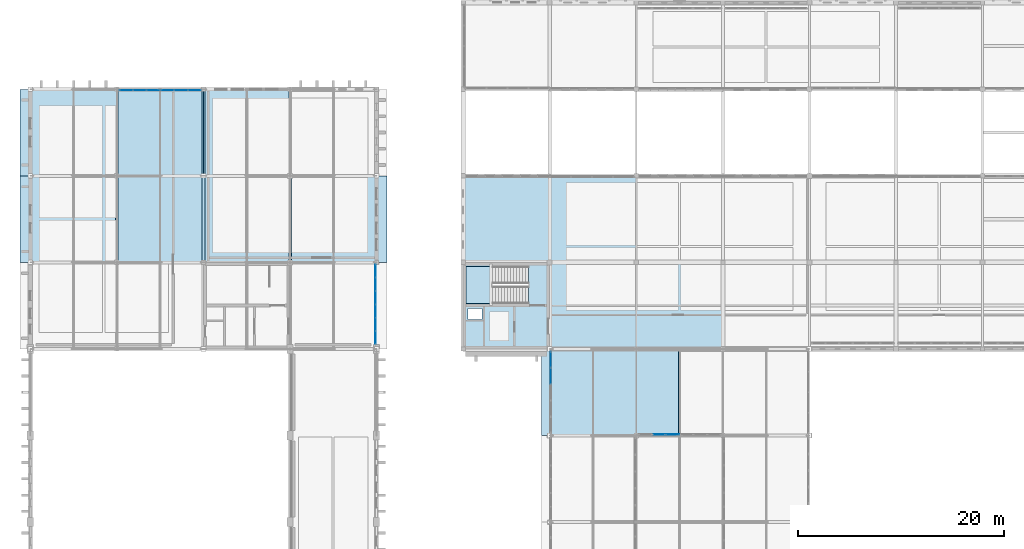
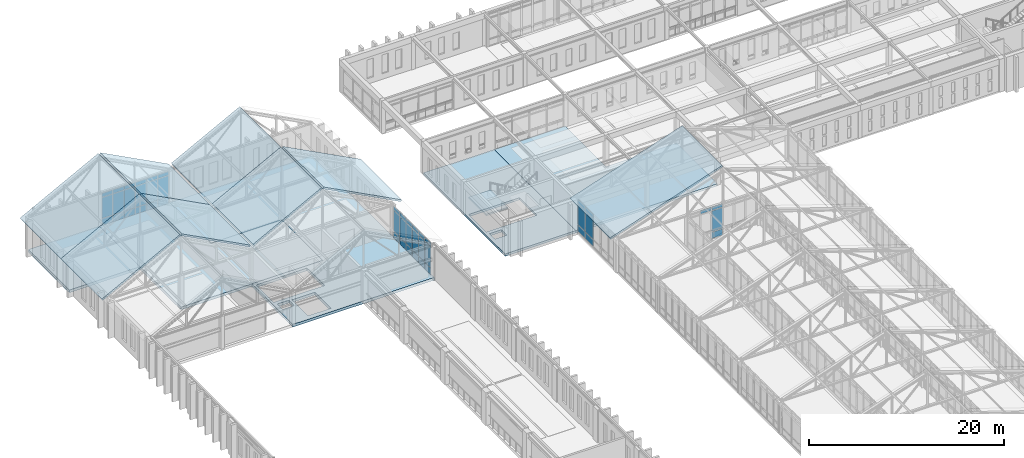
# One storey, part 122 of 192: 46 plates, 14 slabs, 5 elements without a shape of their own.
"""IFC4 building model written with IfcOpenShell, lengths in metres."""

from ifc_helpers import new_model, si_unit, direction, frame, origin, origin_2d, place, context, subcontext, project, spatial, polyline, rectangle, outline, extrude, material, layer, layer_set, type_object, element, aggregate, save


model = new_model("IFC4")

# Units and contexts
model_context = context("Model", 3, precision=1e-05, world=origin(), true_north=direction((0.0, 1.0)))
body_context = subcontext(model_context, "Body", "Model", "MODEL_VIEW")
ifc_project = project(units=[si_unit("LENGTHUNIT", "METRE"), si_unit("AREAUNIT", "SQUARE_METRE"), si_unit("VOLUMEUNIT", "CUBIC_METRE"), si_unit("PLANEANGLEUNIT", "RADIAN"), si_unit("MASSUNIT", "GRAM", prefix="KILO")], contexts=[model_context])

# Site, building, storey
site_placement = place(None, origin())
site = spatial("IfcSite", under=ifc_project, at=site_placement, CompositionType="ELEMENT")
building_placement = place(site_placement, origin())
building = spatial("IfcBuilding", under=site, at=building_placement, Name="Kveldsbrygga Polytechnic", CompositionType="ELEMENT")
storey_placement = place(building_placement, frame((0.0, 0.0, 5.43994140625)))
storey = spatial("IfcBuildingStorey", under=building, at=storey_placement, Name="L01", CompositionType="ELEMENT", Elevation=5.43994140625)

# Curtain wall, plates
ifc_material_1 = material(Name="Anodised aluminium AW-6060", Category="aluminium")
ifc_layer_1 = layer(ifc_material_1, 0.179931640625)
ifc_layer_set_1 = layer_set([ifc_layer_1], Name="Anodised aluminium AW-6060")
curtain_wall_type_1 = type_object("IfcCurtainWallType", Name="CW-CONC-A", PredefinedType="USERDEFINED", material=ifc_layer_set_1)
curtain_wall_1_placement = place(storey_placement, origin())
curtain_wall_1 = element("IfcCurtainWall", 1, at=curtain_wall_1_placement, inside=storey, type_object=curtain_wall_type_1, Name="Curtain Wall CW-L01-X-01-13", ObjectType="UNITISED CURTAIN WALL", PredefinedType="USERDEFINED")
ifc_material_2 = material(Name="Insulated triple low-E glass", Category="glass")
ifc_layer_2 = layer(ifc_material_2, 0.035888671875)
ifc_layer_set_2 = layer_set([ifc_layer_2], Name="Insulated triple low-E glass")
plate_type_1 = type_object("IfcPlateType", Name="CW-PAN-VIS36", PredefinedType="CURTAIN_PANEL", material=ifc_layer_set_2)
plate_1_placement = place(storey_placement, frame((9.2919921875, 109.10009765625, 0.06005859375), z_axis=(0.0, 0.0, 1.0), x_axis=(1.0, 0.0, 0.0)))
plate_1 = element("IfcPlate", 2, at=plate_1_placement, type_object=plate_type_1, Name="CW-01 panel 1.1", PredefinedType="CURTAIN_PANEL", context=body_context, shape_type="SweptSolid", body=[
    extrude(rectangle(XDim=1.244140625, YDim=0.035888671875, at=origin_2d()), origin(), (0.0, 0.0, 1.0), 0.81005859375),
])
plate_2_placement = place(storey_placement, frame((9.2919921875, 109.10009765625, 0.93017578125), z_axis=(0.0, 0.0, 1.0), x_axis=(1.0, 0.0, 0.0)))
plate_2 = element("IfcPlate", 3, at=plate_2_placement, type_object=plate_type_1, Name="CW-01 panel 1.2", PredefinedType="CURTAIN_PANEL", context=body_context, shape_type="SweptSolid", body=[
    extrude(rectangle(XDim=1.244140625, YDim=0.035888671875, at=origin_2d()), origin(), (0.0, 0.0, 1.0), 2.610107421875),
])
plate_3_placement = place(storey_placement, frame((9.2919921875, 109.10009765625, 3.60009765625), z_axis=(0.0, 0.0, 1.0), x_axis=(1.0, 0.0, 0.0)))
plate_3 = element("IfcPlate", 4, at=plate_3_placement, type_object=plate_type_1, Name="CW-01 panel 1.3", PredefinedType="CURTAIN_PANEL", context=body_context, shape_type="SweptSolid", body=[
    extrude(rectangle(XDim=1.244140625, YDim=0.035888671875, at=origin_2d()), origin(), (0.0, 0.0, 1.0), 0.4599609375),
])
plate_4_placement = place(storey_placement, frame((10.611328125, 109.10009765625, 0.06005859375), z_axis=(0.0, 0.0, 1.0), x_axis=(1.0, 0.0, 0.0)))
plate_4 = element("IfcPlate", 5, at=plate_4_placement, type_object=plate_type_1, Name="CW-01 panel 2.1", PredefinedType="CURTAIN_PANEL", context=body_context, shape_type="SweptSolid", body=[
    extrude(rectangle(XDim=1.274169921875, YDim=0.035888671875, at=origin_2d()), origin(), (0.0, 0.0, 1.0), 0.81005859375),
])
plate_5_placement = place(storey_placement, frame((10.611328125, 109.10009765625, 0.93017578125), z_axis=(0.0, 0.0, 1.0), x_axis=(1.0, 0.0, 0.0)))
plate_5 = element("IfcPlate", 6, at=plate_5_placement, type_object=plate_type_1, Name="CW-01 panel 2.2", PredefinedType="CURTAIN_PANEL", context=body_context, shape_type="SweptSolid", body=[
    extrude(rectangle(XDim=1.274169921875, YDim=0.035888671875, at=origin_2d()), origin(), (0.0, 0.0, 1.0), 2.610107421875),
])
plate_6_placement = place(storey_placement, frame((10.611328125, 109.10009765625, 3.60009765625), z_axis=(0.0, 0.0, 1.0), x_axis=(1.0, 0.0, 0.0)))
plate_6 = element("IfcPlate", 7, at=plate_6_placement, type_object=plate_type_1, Name="CW-01 panel 2.3", PredefinedType="CURTAIN_PANEL", context=body_context, shape_type="SweptSolid", body=[
    extrude(rectangle(XDim=1.274169921875, YDim=0.035888671875, at=origin_2d()), origin(), (0.0, 0.0, 1.0), 0.4599609375),
])
plate_7_placement = place(storey_placement, frame((11.9453125, 109.10009765625, 0.06005859375), z_axis=(0.0, 0.0, 1.0), x_axis=(1.0, 0.0, 0.0)))
plate_7 = element("IfcPlate", 8, at=plate_7_placement, type_object=plate_type_1, Name="CW-01 panel 3.1", PredefinedType="CURTAIN_PANEL", context=body_context, shape_type="SweptSolid", body=[
    extrude(rectangle(XDim=1.274169921875, YDim=0.035888671875, at=origin_2d()), origin(), (0.0, 0.0, 1.0), 0.81005859375),
])
plate_8_placement = place(storey_placement, frame((11.9453125, 109.10009765625, 0.93017578125), z_axis=(0.0, 0.0, 1.0), x_axis=(1.0, 0.0, 0.0)))
plate_8 = element("IfcPlate", 9, at=plate_8_placement, type_object=plate_type_1, Name="CW-01 panel 3.2", PredefinedType="CURTAIN_PANEL", context=body_context, shape_type="SweptSolid", body=[
    extrude(rectangle(XDim=1.274169921875, YDim=0.035888671875, at=origin_2d()), origin(), (0.0, 0.0, 1.0), 2.610107421875),
])
plate_9_placement = place(storey_placement, frame((11.9453125, 109.10009765625, 3.60009765625), z_axis=(0.0, 0.0, 1.0), x_axis=(1.0, 0.0, 0.0)))
plate_9 = element("IfcPlate", 10, at=plate_9_placement, type_object=plate_type_1, Name="CW-01 panel 3.3", PredefinedType="CURTAIN_PANEL", context=body_context, shape_type="SweptSolid", body=[
    extrude(rectangle(XDim=1.274169921875, YDim=0.035888671875, at=origin_2d()), origin(), (0.0, 0.0, 1.0), 0.4599609375),
])
plate_10_placement = place(storey_placement, frame((13.279541015625, 109.10009765625, 0.06005859375), z_axis=(0.0, 0.0, 1.0), x_axis=(1.0, 0.0, 0.0)))
plate_10 = element("IfcPlate", 11, at=plate_10_placement, type_object=plate_type_1, Name="CW-01 panel 4.1", PredefinedType="CURTAIN_PANEL", context=body_context, shape_type="SweptSolid", body=[
    extrude(rectangle(XDim=1.274169921875, YDim=0.035888671875, at=origin_2d()), origin(), (0.0, 0.0, 1.0), 0.81005859375),
])
plate_11_placement = place(storey_placement, frame((13.279541015625, 109.10009765625, 0.93017578125), z_axis=(0.0, 0.0, 1.0), x_axis=(1.0, 0.0, 0.0)))
plate_11 = element("IfcPlate", 12, at=plate_11_placement, type_object=plate_type_1, Name="CW-01 panel 4.2", PredefinedType="CURTAIN_PANEL", context=body_context, shape_type="SweptSolid", body=[
    extrude(rectangle(XDim=1.274169921875, YDim=0.035888671875, at=origin_2d()), origin(), (0.0, 0.0, 1.0), 2.610107421875),
])
plate_12_placement = place(storey_placement, frame((13.279541015625, 109.10009765625, 3.60009765625), z_axis=(0.0, 0.0, 1.0), x_axis=(1.0, 0.0, 0.0)))
plate_12 = element("IfcPlate", 13, at=plate_12_placement, type_object=plate_type_1, Name="CW-01 panel 4.3", PredefinedType="CURTAIN_PANEL", context=body_context, shape_type="SweptSolid", body=[
    extrude(rectangle(XDim=1.274169921875, YDim=0.035888671875, at=origin_2d()), origin(), (0.0, 0.0, 1.0), 0.4599609375),
])
plate_13_placement = place(storey_placement, frame((14.61376953125, 109.10009765625, 0.06005859375), z_axis=(0.0, 0.0, 1.0), x_axis=(1.0, 0.0, 0.0)))
plate_13 = element("IfcPlate", 14, at=plate_13_placement, type_object=plate_type_1, Name="CW-01 panel 5.1", PredefinedType="CURTAIN_PANEL", context=body_context, shape_type="SweptSolid", body=[
    extrude(rectangle(XDim=1.274169921875, YDim=0.035888671875, at=origin_2d()), origin(), (0.0, 0.0, 1.0), 0.81005859375),
])
plate_14_placement = place(storey_placement, frame((14.61376953125, 109.10009765625, 0.93017578125), z_axis=(0.0, 0.0, 1.0), x_axis=(1.0, 0.0, 0.0)))
plate_14 = element("IfcPlate", 15, at=plate_14_placement, type_object=plate_type_1, Name="CW-01 panel 5.2", PredefinedType="CURTAIN_PANEL", context=body_context, shape_type="SweptSolid", body=[
    extrude(rectangle(XDim=1.274169921875, YDim=0.035888671875, at=origin_2d()), origin(), (0.0, 0.0, 1.0), 2.610107421875),
])
plate_15_placement = place(storey_placement, frame((14.61376953125, 109.10009765625, 3.60009765625), z_axis=(0.0, 0.0, 1.0), x_axis=(1.0, 0.0, 0.0)))
plate_15 = element("IfcPlate", 16, at=plate_15_placement, type_object=plate_type_1, Name="CW-01 panel 5.3", PredefinedType="CURTAIN_PANEL", context=body_context, shape_type="SweptSolid", body=[
    extrude(rectangle(XDim=1.274169921875, YDim=0.035888671875, at=origin_2d()), origin(), (0.0, 0.0, 1.0), 0.4599609375),
])
plate_16_placement = place(storey_placement, frame((15.932861328125, 109.10009765625, 0.06005859375), z_axis=(0.0, 0.0, 1.0), x_axis=(1.0, 0.0, 0.0)))
plate_16 = element("IfcPlate", 17, at=plate_16_placement, type_object=plate_type_1, Name="CW-01 panel 6.1", PredefinedType="CURTAIN_PANEL", context=body_context, shape_type="SweptSolid", body=[
    extrude(rectangle(XDim=1.244140625, YDim=0.035888671875, at=origin_2d()), origin(), (0.0, 0.0, 1.0), 0.81005859375),
])
plate_17_placement = place(storey_placement, frame((15.932861328125, 109.10009765625, 0.93017578125), z_axis=(0.0, 0.0, 1.0), x_axis=(1.0, 0.0, 0.0)))
plate_17 = element("IfcPlate", 18, at=plate_17_placement, type_object=plate_type_1, Name="CW-01 panel 6.2", PredefinedType="CURTAIN_PANEL", context=body_context, shape_type="SweptSolid", body=[
    extrude(rectangle(XDim=1.244140625, YDim=0.035888671875, at=origin_2d()), origin(), (0.0, 0.0, 1.0), 2.610107421875),
])
plate_18_placement = place(storey_placement, frame((15.932861328125, 109.10009765625, 3.60009765625), z_axis=(0.0, 0.0, 1.0), x_axis=(1.0, 0.0, 0.0)))
plate_18 = element("IfcPlate", 19, at=plate_18_placement, type_object=plate_type_1, Name="CW-01 panel 6.3", PredefinedType="CURTAIN_PANEL", context=body_context, shape_type="SweptSolid", body=[
    extrude(rectangle(XDim=1.244140625, YDim=0.035888671875, at=origin_2d()), origin(), (0.0, 0.0, 1.0), 0.4599609375),
])
aggregate(curtain_wall_1, [plate_1, plate_2, plate_3, plate_4, plate_5, plate_6, plate_7, plate_8, plate_9, plate_10, plate_11, plate_12, plate_13, plate_14, plate_15, plate_16, plate_17, plate_18])

curtain_wall_2_placement = place(storey_placement, origin())
curtain_wall_2 = element("IfcCurtainWall", 20, at=curtain_wall_2_placement, inside=storey, type_object=curtain_wall_type_1, Name="Curtain Wall CW-L01-Y-04-10", ObjectType="UNITISED CURTAIN WALL", PredefinedType="USERDEFINED")
plate_19_placement = place(storey_placement, frame((33.5, 85.098388671875, 0.06005859375), z_axis=(0.0, 0.0, 1.0), x_axis=(0.0, 1.0, 0.0)))
plate_19 = element("IfcPlate", 21, at=plate_19_placement, type_object=plate_type_1, Name="CW-01 panel 1.1", PredefinedType="CURTAIN_PANEL", context=body_context, shape_type="SweptSolid", body=[
    extrude(rectangle(XDim=1.206787109375, YDim=0.035888671875, at=origin_2d()), origin(), (0.0, 0.0, 1.0), 0.81005859375),
])
plate_20_placement = place(storey_placement, frame((33.5, 85.098388671875, 0.93017578125), z_axis=(0.0, 0.0, 1.0), x_axis=(0.0, 1.0, 0.0)))
plate_20 = element("IfcPlate", 22, at=plate_20_placement, type_object=plate_type_1, Name="CW-01 panel 1.2", PredefinedType="CURTAIN_PANEL", context=body_context, shape_type="SweptSolid", body=[
    extrude(rectangle(XDim=1.206787109375, YDim=0.035888671875, at=origin_2d()), origin(), (0.0, 0.0, 1.0), 2.610107421875),
])
plate_21_placement = place(storey_placement, frame((33.5, 85.098388671875, 3.60009765625), z_axis=(0.0, 0.0, 1.0), x_axis=(0.0, 1.0, 0.0)))
plate_21 = element("IfcPlate", 23, at=plate_21_placement, type_object=plate_type_1, Name="CW-01 panel 1.3", PredefinedType="CURTAIN_PANEL", context=body_context, shape_type="SweptSolid", body=[
    extrude(rectangle(XDim=1.206787109375, YDim=0.035888671875, at=origin_2d()), origin(), (0.0, 0.0, 1.0), 0.4599609375),
])
plate_22_placement = place(storey_placement, frame((33.5, 86.3798828125, 0.06005859375), z_axis=(0.0, 0.0, 1.0), x_axis=(0.0, 1.0, 0.0)))
plate_22 = element("IfcPlate", 24, at=plate_22_placement, type_object=plate_type_1, Name="CW-01 panel 2.1", PredefinedType="CURTAIN_PANEL", context=body_context, shape_type="SweptSolid", body=[
    extrude(rectangle(XDim=1.236572265625, YDim=0.035888671875, at=origin_2d()), origin(), (0.0, 0.0, 1.0), 0.81005859375),
])
plate_23_placement = place(storey_placement, frame((33.5, 86.3798828125, 0.93017578125), z_axis=(0.0, 0.0, 1.0), x_axis=(0.0, 1.0, 0.0)))
plate_23 = element("IfcPlate", 25, at=plate_23_placement, type_object=plate_type_1, Name="CW-01 panel 2.2", PredefinedType="CURTAIN_PANEL", context=body_context, shape_type="SweptSolid", body=[
    extrude(rectangle(XDim=1.236572265625, YDim=0.035888671875, at=origin_2d()), origin(), (0.0, 0.0, 1.0), 2.610107421875),
])
plate_24_placement = place(storey_placement, frame((33.5, 86.3798828125, 3.60009765625), z_axis=(0.0, 0.0, 1.0), x_axis=(0.0, 1.0, 0.0)))
plate_24 = element("IfcPlate", 26, at=plate_24_placement, type_object=plate_type_1, Name="CW-01 panel 2.3", PredefinedType="CURTAIN_PANEL", context=body_context, shape_type="SweptSolid", body=[
    extrude(rectangle(XDim=1.236572265625, YDim=0.035888671875, at=origin_2d()), origin(), (0.0, 0.0, 1.0), 0.4599609375),
])
plate_25_placement = place(storey_placement, frame((33.5, 87.6767578125, 0.06005859375), z_axis=(0.0, 0.0, 1.0), x_axis=(0.0, 1.0, 0.0)))
plate_25 = element("IfcPlate", 27, at=plate_25_placement, type_object=plate_type_1, Name="CW-01 panel 3.1", PredefinedType="CURTAIN_PANEL", context=body_context, shape_type="SweptSolid", body=[
    extrude(rectangle(XDim=1.236572265625, YDim=0.035888671875, at=origin_2d()), origin(), (0.0, 0.0, 1.0), 0.81005859375),
])
plate_26_placement = place(storey_placement, frame((33.5, 87.6767578125, 0.93017578125), z_axis=(0.0, 0.0, 1.0), x_axis=(0.0, 1.0, 0.0)))
plate_26 = element("IfcPlate", 28, at=plate_26_placement, type_object=plate_type_1, Name="CW-01 panel 3.2", PredefinedType="CURTAIN_PANEL", context=body_context, shape_type="SweptSolid", body=[
    extrude(rectangle(XDim=1.236572265625, YDim=0.035888671875, at=origin_2d()), origin(), (0.0, 0.0, 1.0), 2.610107421875),
])
plate_27_placement = place(storey_placement, frame((33.5, 87.6767578125, 3.60009765625), z_axis=(0.0, 0.0, 1.0), x_axis=(0.0, 1.0, 0.0)))
plate_27 = element("IfcPlate", 29, at=plate_27_placement, type_object=plate_type_1, Name="CW-01 panel 3.3", PredefinedType="CURTAIN_PANEL", context=body_context, shape_type="SweptSolid", body=[
    extrude(rectangle(XDim=1.236572265625, YDim=0.035888671875, at=origin_2d()), origin(), (0.0, 0.0, 1.0), 0.4599609375),
])
plate_28_placement = place(storey_placement, frame((33.5, 88.973388671875, 0.06005859375), z_axis=(0.0, 0.0, 1.0), x_axis=(0.0, 1.0, 0.0)))
plate_28 = element("IfcPlate", 30, at=plate_28_placement, type_object=plate_type_1, Name="CW-01 panel 4.1", PredefinedType="CURTAIN_PANEL", context=body_context, shape_type="SweptSolid", body=[
    extrude(rectangle(XDim=1.236572265625, YDim=0.035888671875, at=origin_2d()), origin(), (0.0, 0.0, 1.0), 0.81005859375),
])
plate_29_placement = place(storey_placement, frame((33.5, 88.973388671875, 0.93017578125), z_axis=(0.0, 0.0, 1.0), x_axis=(0.0, 1.0, 0.0)))
plate_29 = element("IfcPlate", 31, at=plate_29_placement, type_object=plate_type_1, Name="CW-01 panel 4.2", PredefinedType="CURTAIN_PANEL", context=body_context, shape_type="SweptSolid", body=[
    extrude(rectangle(XDim=1.236572265625, YDim=0.035888671875, at=origin_2d()), origin(), (0.0, 0.0, 1.0), 2.610107421875),
])
plate_30_placement = place(storey_placement, frame((33.5, 88.973388671875, 3.60009765625), z_axis=(0.0, 0.0, 1.0), x_axis=(0.0, 1.0, 0.0)))
plate_30 = element("IfcPlate", 32, at=plate_30_placement, type_object=plate_type_1, Name="CW-01 panel 4.3", PredefinedType="CURTAIN_PANEL", context=body_context, shape_type="SweptSolid", body=[
    extrude(rectangle(XDim=1.236572265625, YDim=0.035888671875, at=origin_2d()), origin(), (0.0, 0.0, 1.0), 0.4599609375),
])
plate_31_placement = place(storey_placement, frame((33.5, 90.27001953125, 0.06005859375), z_axis=(0.0, 0.0, 1.0), x_axis=(0.0, 1.0, 0.0)))
plate_31 = element("IfcPlate", 33, at=plate_31_placement, type_object=plate_type_1, Name="CW-01 panel 5.1", PredefinedType="CURTAIN_PANEL", context=body_context, shape_type="SweptSolid", body=[
    extrude(rectangle(XDim=1.236572265625, YDim=0.035888671875, at=origin_2d()), origin(), (0.0, 0.0, 1.0), 0.81005859375),
])
plate_32_placement = place(storey_placement, frame((33.5, 90.27001953125, 0.93017578125), z_axis=(0.0, 0.0, 1.0), x_axis=(0.0, 1.0, 0.0)))
plate_32 = element("IfcPlate", 34, at=plate_32_placement, type_object=plate_type_1, Name="CW-01 panel 5.2", PredefinedType="CURTAIN_PANEL", context=body_context, shape_type="SweptSolid", body=[
    extrude(rectangle(XDim=1.236572265625, YDim=0.035888671875, at=origin_2d()), origin(), (0.0, 0.0, 1.0), 2.610107421875),
])
plate_33_placement = place(storey_placement, frame((33.5, 90.27001953125, 3.60009765625), z_axis=(0.0, 0.0, 1.0), x_axis=(0.0, 1.0, 0.0)))
plate_33 = element("IfcPlate", 35, at=plate_33_placement, type_object=plate_type_1, Name="CW-01 panel 5.3", PredefinedType="CURTAIN_PANEL", context=body_context, shape_type="SweptSolid", body=[
    extrude(rectangle(XDim=1.236572265625, YDim=0.035888671875, at=origin_2d()), origin(), (0.0, 0.0, 1.0), 0.4599609375),
])
plate_34_placement = place(storey_placement, frame((33.5, 91.5517578125, 0.06005859375), z_axis=(0.0, 0.0, 1.0), x_axis=(0.0, 1.0, 0.0)))
plate_34 = element("IfcPlate", 36, at=plate_34_placement, type_object=plate_type_1, Name="CW-01 panel 6.1", PredefinedType="CURTAIN_PANEL", context=body_context, shape_type="SweptSolid", body=[
    extrude(rectangle(XDim=1.206787109375, YDim=0.035888671875, at=origin_2d()), origin(), (0.0, 0.0, 1.0), 0.81005859375),
])
plate_35_placement = place(storey_placement, frame((33.5, 91.5517578125, 0.93017578125), z_axis=(0.0, 0.0, 1.0), x_axis=(0.0, 1.0, 0.0)))
plate_35 = element("IfcPlate", 37, at=plate_35_placement, type_object=plate_type_1, Name="CW-01 panel 6.2", PredefinedType="CURTAIN_PANEL", context=body_context, shape_type="SweptSolid", body=[
    extrude(rectangle(XDim=1.206787109375, YDim=0.035888671875, at=origin_2d()), origin(), (0.0, 0.0, 1.0), 2.610107421875),
])
plate_36_placement = place(storey_placement, frame((33.5, 91.5517578125, 3.60009765625), z_axis=(0.0, 0.0, 1.0), x_axis=(0.0, 1.0, 0.0)))
plate_36 = element("IfcPlate", 38, at=plate_36_placement, type_object=plate_type_1, Name="CW-01 panel 6.3", PredefinedType="CURTAIN_PANEL", context=body_context, shape_type="SweptSolid", body=[
    extrude(rectangle(XDim=1.206787109375, YDim=0.035888671875, at=origin_2d()), origin(), (0.0, 0.0, 1.0), 0.4599609375),
])
aggregate(curtain_wall_2, [plate_19, plate_20, plate_21, plate_22, plate_23, plate_24, plate_25, plate_26, plate_27, plate_28, plate_29, plate_30, plate_31, plate_32, plate_33, plate_34, plate_35, plate_36])

ifc_layer_3 = layer(ifc_material_1, 0.199951171875)
ifc_layer_set_3 = layer_set([ifc_layer_3], Name="Anodised aluminium AW-6060")
curtain_wall_type_2 = type_object("IfcCurtainWallType", Name="CW-CONC-B", PredefinedType="USERDEFINED", material=ifc_layer_set_3)
curtain_wall_3_placement = place(storey_placement, origin())
curtain_wall_3 = element("IfcCurtainWall", 39, at=curtain_wall_3_placement, inside=storey, type_object=curtain_wall_type_2, Name="Curtain Wall CW-L01-Y-06-09", ObjectType="UNITISED CURTAIN WALL", PredefinedType="USERDEFINED")
ifc_layer_4 = layer(ifc_material_2, 0.0419921875)
ifc_layer_set_4 = layer_set([ifc_layer_4], Name="Insulated triple low-E glass")
plate_type_2 = type_object("IfcPlateType", Name="CW-PAN-VIS42", PredefinedType="CURTAIN_PANEL", material=ifc_layer_set_4)
plate_37_placement = place(storey_placement, frame((50.5, 81.389892578125, 0.06005859375), z_axis=(0.0, 0.0, 1.0), x_axis=(0.0, 1.0, 0.0)))
plate_37 = element("IfcPlate", 40, at=plate_37_placement, type_object=plate_type_2, Name="CW-02 panel 4.1", PredefinedType="CURTAIN_PANEL", context=body_context, shape_type="SweptSolid", body=[
    extrude(rectangle(XDim=1.530029296875, YDim=0.0419921875, at=origin_2d()), origin(), (0.0, 0.0, 1.0), 0.81005859375),
])
plate_38_placement = place(storey_placement, frame((50.5, 81.389892578125, 0.93017578125), z_axis=(0.0, 0.0, 1.0), x_axis=(0.0, 1.0, 0.0)))
plate_38 = element("IfcPlate", 41, at=plate_38_placement, type_object=plate_type_2, Name="CW-02 panel 4.2", PredefinedType="CURTAIN_PANEL", context=body_context, shape_type="SweptSolid", body=[
    extrude(rectangle(XDim=1.530029296875, YDim=0.0419921875, at=origin_2d()), origin(), (0.0, 0.0, 1.0), 2.610107421875),
])
plate_39_placement = place(storey_placement, frame((50.5, 81.389892578125, 3.60009765625), z_axis=(0.0, 0.0, 1.0), x_axis=(0.0, 1.0, 0.0)))
plate_39 = element("IfcPlate", 42, at=plate_39_placement, type_object=plate_type_2, Name="CW-02 panel 4.3", PredefinedType="CURTAIN_PANEL", context=body_context, shape_type="SweptSolid", body=[
    extrude(rectangle(XDim=1.530029296875, YDim=0.0419921875, at=origin_2d()), origin(), (0.0, 0.0, 1.0), 0.4599609375),
])
plate_40_placement = place(storey_placement, frame((50.5, 82.965087890625, 0.06005859375), z_axis=(0.0, 0.0, 1.0), x_axis=(0.0, 1.0, 0.0)))
plate_40 = element("IfcPlate", 43, at=plate_40_placement, type_object=plate_type_2, Name="CW-02 panel 5.1", PredefinedType="CURTAIN_PANEL", context=body_context, shape_type="SweptSolid", body=[
    extrude(rectangle(XDim=1.5, YDim=0.0419921875, at=origin_2d()), origin(), (0.0, 0.0, 1.0), 0.81005859375),
])
plate_41_placement = place(storey_placement, frame((50.5, 82.965087890625, 0.93017578125), z_axis=(0.0, 0.0, 1.0), x_axis=(0.0, 1.0, 0.0)))
plate_41 = element("IfcPlate", 44, at=plate_41_placement, type_object=plate_type_2, Name="CW-02 panel 5.2", PredefinedType="CURTAIN_PANEL", context=body_context, shape_type="SweptSolid", body=[
    extrude(rectangle(XDim=1.5, YDim=0.0419921875, at=origin_2d()), origin(), (0.0, 0.0, 1.0), 2.610107421875),
])
plate_42_placement = place(storey_placement, frame((50.5, 82.965087890625, 3.60009765625), z_axis=(0.0, 0.0, 1.0), x_axis=(0.0, 1.0, 0.0)))
plate_42 = element("IfcPlate", 45, at=plate_42_placement, type_object=plate_type_2, Name="CW-02 panel 5.3", PredefinedType="CURTAIN_PANEL", context=body_context, shape_type="SweptSolid", body=[
    extrude(rectangle(XDim=1.5, YDim=0.0419921875, at=origin_2d()), origin(), (0.0, 0.0, 1.0), 0.4599609375),
])
aggregate(curtain_wall_3, [plate_37, plate_38, plate_39, plate_40, plate_41, plate_42])

ifc_layer_5 = layer(ifc_material_1, 0.159912109375)
ifc_layer_set_5 = layer_set([ifc_layer_5], Name="Anodised aluminium AW-6060")
curtain_wall_type_3 = type_object("IfcCurtainWallType", Name="CW-CLER-C", PredefinedType="USERDEFINED", material=ifc_layer_set_5)
curtain_wall_4_placement = place(storey_placement, origin())
curtain_wall_4 = element("IfcCurtainWall", 46, at=curtain_wall_4_placement, inside=storey, type_object=curtain_wall_type_3, Name="Curtain Wall CW-L01-X-07-09", ObjectType="STICK CURTAIN WALL", PredefinedType="USERDEFINED")
ifc_layer_6 = layer(ifc_material_2, 0.048095703125)
ifc_layer_set_6 = layer_set([ifc_layer_6], Name="Insulated triple low-E glass")
plate_type_3 = type_object("IfcPlateType", Name="CW-PAN-VIS48", PredefinedType="CURTAIN_PANEL", material=ifc_layer_set_6)
plate_43_placement = place(storey_placement, frame((61.01123046875, 75.699951171875, 3.607666015625), z_axis=(0.0, 0.0, 1.0), x_axis=(1.0, 0.0, 0.0)))
plate_43 = element("IfcPlate", 47, at=plate_43_placement, type_object=plate_type_3, Name="CW-03 panel 2.3", PredefinedType="CURTAIN_PANEL", context=body_context, shape_type="SweptSolid", body=[
    extrude(rectangle(XDim=1.25927734375, YDim=0.048095703125, at=origin_2d()), origin(), (0.0, 0.0, 1.0), 0.4375),
])
plate_44_placement = place(storey_placement, frame((62.345458984375, 75.699951171875, 0.074951171875), z_axis=(0.0, 0.0, 1.0), x_axis=(1.0, 0.0, 0.0)))
plate_44 = element("IfcPlate", 48, at=plate_44_placement, type_object=plate_type_3, Name="CW-03 panel 3.1", PredefinedType="CURTAIN_PANEL", context=body_context, shape_type="SweptSolid", body=[
    extrude(rectangle(XDim=1.25927734375, YDim=0.048095703125, at=origin_2d()), origin(), (0.0, 0.0, 1.0), 0.78759765625),
])
plate_45_placement = place(storey_placement, frame((62.345458984375, 75.699951171875, 0.9375), z_axis=(0.0, 0.0, 1.0), x_axis=(1.0, 0.0, 0.0)))
plate_45 = element("IfcPlate", 49, at=plate_45_placement, type_object=plate_type_3, Name="CW-03 panel 3.2", PredefinedType="CURTAIN_PANEL", context=body_context, shape_type="SweptSolid", body=[
    extrude(rectangle(XDim=1.25927734375, YDim=0.048095703125, at=origin_2d()), origin(), (0.0, 0.0, 1.0), 2.594970703125),
])
plate_46_placement = place(storey_placement, frame((62.345458984375, 75.699951171875, 3.607666015625), z_axis=(0.0, 0.0, 1.0), x_axis=(1.0, 0.0, 0.0)))
plate_46 = element("IfcPlate", 50, at=plate_46_placement, type_object=plate_type_3, Name="CW-03 panel 3.3", PredefinedType="CURTAIN_PANEL", context=body_context, shape_type="SweptSolid", body=[
    extrude(rectangle(XDim=1.25927734375, YDim=0.048095703125, at=origin_2d()), origin(), (0.0, 0.0, 1.0), 0.4375),
])
aggregate(curtain_wall_4, [plate_43, plate_44, plate_45, plate_46])

# Stair, slab
ifc_material_3 = material(Name="Concrete C35/45", Category="concrete")
stair_type = type_object("IfcStairType", Name="STR-CORE-442", PredefinedType="HALF_TURN_STAIR", material=ifc_material_3)
stair_placement = place(storey_placement, origin())
stair = element("IfcStair", 51, at=stair_placement, inside=storey, type_object=stair_type, Name="L01 Core C7 Escape Stair ST-7", PredefinedType="HALF_TURN_STAIR")
ifc_layer_7 = layer(ifc_material_3, 0.199951171875)
ifc_layer_set_7 = layer_set([ifc_layer_7], Name="Concrete C35/45")
slab_type_1 = type_object("IfcSlabType", Name="SLB-LANDING-200", PredefinedType="LANDING", material=ifc_layer_set_7)
slab_1_placement = place(storey_placement, frame((0.0, 0.0, 2.010009765625)))
slab_1 = element("IfcSlab", 52, at=slab_1_placement, type_object=slab_type_1, Name="ST-7 landing 1", PredefinedType="LANDING", context=body_context, shape_type="SweptSolid", body=[
    extrude(outline(polyline([(44.8701171875, 92.0), (42.300048828125, 92.0), (42.300048828125, 88.39990234375), (44.8701171875, 88.39990234375), (44.8701171875, 92.0)])), origin(), (0.0, 0.0, 1.0), 0.199951171875),
])
aggregate(stair, [slab_1])

# Slabs
ifc_layer_8 = layer(ifc_material_3, 0.219970703125)
ifc_layer_set_8 = layer_set([ifc_layer_8], Name="Concrete C35/45")
slab_type_2 = type_object("IfcSlabType", Name="SLB-ROOF-220", PredefinedType="ROOF", material=ifc_layer_set_8)
slab_2_placement = place(storey_placement, frame((-1.0, 92.39990234375, 4.296142578125), z_axis=(-0.464010478736, 0.0, 0.885829710285), x_axis=(0.885829710285, 0.0, 0.464010478736)))
element("IfcSlab", 53, at=slab_2_placement, inside=storey, type_object=slab_type_2, Name="Pitched Roof Slab V1N1-RSLB-2-1", PredefinedType="ROOF", context=body_context, shape_type="SweptSolid", body=[
    extrude(outline(polyline([(0.0, 0.0), (10.473606748037206, 0.0), (10.473606748037206, 8.400146484375), (0.0, 8.400146484375), (0.0, 0.0)])), origin(), (0.0, 0.0, -1.0), 0.219970703125),
])
slab_3_placement = place(storey_placement, frame((8.522216796875, 92.39990234375, 9.156005859375), z_axis=(0.464024891368, 0.0, 0.885822160589), x_axis=(0.885822160589, 0.0, -0.464024891368)))
element("IfcSlab", 54, at=slab_3_placement, inside=storey, type_object=slab_type_2, Name="Pitched Roof Slab V1N1-RSLB-2-2", PredefinedType="ROOF", context=body_context, shape_type="SweptSolid", body=[
    extrude(outline(polyline([(0.0, 0.0), (9.175301667173233, 0.0), (9.175301667173233, 8.400146484375002), (0.0, 8.400146484375002), (0.0, 0.0)])), origin(), (0.0, 0.0, -1.0), 0.219970703125),
])
slab_4_placement = place(storey_placement, frame((-1.0, 100.800048828125, 4.296142578125), z_axis=(-0.464010478736, 0.0, 0.885829710285), x_axis=(0.885829710285, 0.0, 0.464010478736)))
element("IfcSlab", 55, at=slab_4_placement, inside=storey, type_object=slab_type_2, Name="Pitched Roof Slab V1N1-RSLB-3-1", PredefinedType="ROOF", context=body_context, shape_type="SweptSolid", body=[
    extrude(outline(polyline([(0.0, 0.0), (10.473606748037206, 0.0), (10.473606748037206, 8.39990234375), (0.0, 8.39990234375), (0.0, 0.0)])), origin(), (0.0, 0.0, -1.0), 0.219970703125),
])
slab_5_placement = place(storey_placement, frame((8.522216796875, 100.800048828125, 9.156005859375), z_axis=(0.464024891368, 0.0, 0.885822160589), x_axis=(0.885822160589, 0.0, -0.464024891368)))
element("IfcSlab", 56, at=slab_5_placement, inside=storey, type_object=slab_type_2, Name="Pitched Roof Slab V1N1-RSLB-3-2", PredefinedType="ROOF", context=body_context, shape_type="SweptSolid", body=[
    extrude(outline(polyline([(0.0, 0.0), (9.175301667173233, 0.0), (9.175301667173233, 8.399902343750002), (0.0, 8.399902343750002), (0.0, 0.0)])), origin(), (0.0, 0.0, -1.0), 0.219970703125),
])
slab_6_placement = place(storey_placement, frame((16.949951171875, 92.39990234375, 4.8984375), z_axis=(-0.464013954356, 0.0, 0.885827889696), x_axis=(0.885827889696, 0.0, 0.464013954356)))
element("IfcSlab", 57, at=slab_6_placement, inside=storey, type_object=slab_type_2, Name="Pitched Roof Slab V1N2-RSLB-2-1", PredefinedType="ROOF", context=body_context, shape_type="SweptSolid", body=[
    extrude(outline(polyline([(0.0, 0.0), (9.17551793304852, 0.0), (9.17551793304852, 8.400146484375), (0.0, 8.400146484375), (0.0, 0.0)])), origin(), (0.0, 0.0, -1.0), 0.219970703125),
])
slab_7_placement = place(storey_placement, frame((25.322021484375, 92.39990234375, 9.156005859375), z_axis=(0.464000897665, 0.0, 0.885834728923), x_axis=(0.885834728923, 0.0, -0.464000897665)))
element("IfcSlab", 58, at=slab_7_placement, inside=storey, type_object=slab_type_2, Name="Pitched Roof Slab V1N2-RSLB-2-2", PredefinedType="ROOF", context=body_context, shape_type="SweptSolid", body=[
    extrude(outline(polyline([(0.0, 0.0), (10.473823015668954, 0.0), (10.473823015668954, 8.400146484375), (0.0, 8.400146484375), (0.0, 0.0)])), origin(), (0.0, 0.0, -1.0), 0.219970703125),
])
slab_8_placement = place(storey_placement, frame((16.949951171875, 100.800048828125, 4.8984375), z_axis=(-0.464013954356, 0.0, 0.885827889696), x_axis=(0.885827889696, 0.0, 0.464013954356)))
element("IfcSlab", 59, at=slab_8_placement, inside=storey, type_object=slab_type_2, Name="Pitched Roof Slab V1N2-RSLB-3-1", PredefinedType="ROOF", context=body_context, shape_type="SweptSolid", body=[
    extrude(outline(polyline([(0.0, 0.0), (9.17551793304852, 0.0), (9.17551793304852, 8.39990234375), (0.0, 8.39990234375), (0.0, 0.0)])), origin(), (0.0, 0.0, -1.0), 0.219970703125),
])
slab_9_placement = place(storey_placement, frame((49.60009765625, 75.60009765625, 4.45947265625), z_axis=(-0.316227766017, 0.0, 0.948683298051), x_axis=(0.948683298051, 0.0, 0.316227766017)))
element("IfcSlab", 60, at=slab_9_placement, inside=storey, type_object=slab_type_2, Name="Pitched Roof Slab V5C-RSLB-9-1", PredefinedType="ROOF", context=body_context, shape_type="SweptSolid", body=[
    extrude(outline(polyline([(0.0, 0.0), (14.030290995664053, 0.0), (14.030290995664053, 8.239990234375), (0.0, 8.239990234375), (0.0, 0.0)])), origin(), (0.0, 0.0, -1.0), 0.219970703125),
])
ifc_layer_9 = layer(ifc_material_3, 0.280029296875)
ifc_layer_set_9 = layer_set([ifc_layer_9], Name="Concrete C35/45")
slab_type_3 = type_object("IfcSlabType", Name="SLB-STD-280", PredefinedType="FLOOR", material=ifc_layer_set_9)
slab_10_placement = place(storey_placement, frame((0.0, 0.0, -0.280029296875)))
element("IfcSlab", 61, at=slab_10_placement, inside=storey, type_object=slab_type_3, Name="Slab SLB-L01-V2-L01-1", PredefinedType="FLOOR", context=body_context, shape_type="SweptSolid", body=[
    extrude(outline(polyline([(50.39990234375, 84.0), (50.39990234375, 92.39990234375), (50.39990234375, 100.800048828125), (58.800048828125, 100.800048828125), (58.800048828125, 92.39990234375), (67.199951171875, 92.39990234375), (67.199951171875, 84.0), (58.800048828125, 84.0), (50.39990234375, 84.0)])), origin(), (0.0, 0.0, 1.0), 0.280029296875),
])
slab_11_placement = place(storey_placement, frame((0.0, 0.0, -0.280029296875)))
element("IfcSlab", 62, at=slab_11_placement, inside=storey, type_object=slab_type_3, Name="Slab SLB-L01-V2-Z7-1", PredefinedType="FLOOR", context=body_context, shape_type="SweptSolid", body=[
    extrude(outline(polyline([(42.0, 84.0), (42.0, 92.39990234375), (42.0, 100.800048828125), (50.39990234375, 100.800048828125), (50.39990234375, 92.39990234375), (50.39990234375, 84.0), (42.0, 84.0)]), holes=[polyline([(48.324951171875, 92.0), (42.300048828125, 92.0), (42.300048828125, 88.39990234375), (48.324951171875, 88.39990234375), (48.324951171875, 92.0)]), polyline([(42.449951171875, 86.85009765625), (43.85009765625, 86.85009765625), (43.85009765625, 87.949951171875), (42.449951171875, 87.949951171875), (42.449951171875, 86.85009765625)])]), origin(), (0.0, 0.0, 1.0), 0.280029296875),
])
ifc_layer_10 = layer(ifc_material_3, 0.340087890625)
ifc_layer_set_10 = layer_set([ifc_layer_10], Name="Concrete C35/45")
slab_type_4 = type_object("IfcSlabType", Name="SLB-WORK-340", PredefinedType="FLOOR", material=ifc_layer_set_10)
slab_12_placement = place(storey_placement, frame((0.0, 0.0, -0.33984375)))
element("IfcSlab", 63, at=slab_12_placement, inside=storey, type_object=slab_type_4, Name="Slab SLB-L01-V1-L02-1", PredefinedType="FLOOR", context=body_context, shape_type="SweptSolid", body=[
    extrude(outline(polyline([(8.39990234375, 92.39990234375), (8.39990234375, 100.800048828125), (8.39990234375, 109.199951171875), (16.800048828125, 109.199951171875), (16.800048828125, 100.800048828125), (25.199951171875, 100.800048828125), (25.199951171875, 92.39990234375), (16.800048828125, 92.39990234375), (8.39990234375, 92.39990234375)])), origin(), (0.0, 0.0, 1.0), 0.33984375),
])
slab_13_placement = place(storey_placement, frame((0.0, 0.0, -0.33984375)))
element("IfcSlab", 64, at=slab_13_placement, inside=storey, type_object=slab_type_4, Name="Slab SLB-L01-V1-Z7-1", PredefinedType="FLOOR", context=body_context, shape_type="SweptSolid", body=[
    extrude(outline(polyline([(16.800048828125, 92.39990234375), (25.199951171875, 92.39990234375), (25.199951171875, 100.800048828125), (16.800048828125, 100.800048828125), (16.800048828125, 109.199951171875), (25.199951171875, 109.199951171875), (33.60009765625, 109.199951171875), (33.60009765625, 100.800048828125), (33.60009765625, 92.39990234375), (33.60009765625, 84.0), (25.199951171875, 84.0), (16.800048828125, 84.0), (16.800048828125, 92.39990234375)]), holes=[polyline([(23.125, 92.0), (17.10009765625, 92.0), (17.10009765625, 88.39990234375), (23.125, 88.39990234375), (23.125, 92.0)]), polyline([(18.949951171875, 84.550048828125), (21.64990234375, 84.550048828125), (21.64990234375, 87.85009765625), (18.949951171875, 87.85009765625), (18.949951171875, 84.550048828125)]), polyline([(17.25, 86.85009765625), (18.64990234375, 86.85009765625), (18.64990234375, 87.949951171875), (17.25, 87.949951171875), (17.25, 86.85009765625)])]), origin(), (0.0, 0.0, 1.0), 0.33984375),
])
slab_14_placement = place(storey_placement, frame((0.0, 0.0, -0.33984375)))
element("IfcSlab", 65, at=slab_14_placement, inside=storey, type_object=slab_type_4, Name="Slab SLB-L01-V1-Z7-2", PredefinedType="FLOOR", context=body_context, shape_type="SweptSolid", body=[
    extrude(outline(polyline([(0.0, 109.199951171875), (8.39990234375, 109.199951171875), (8.39990234375, 100.800048828125), (0.0, 100.800048828125), (0.0, 109.199951171875)])), origin(), (0.0, 0.0, 1.0), 0.33984375),
])

save(model, "model.ifc")
